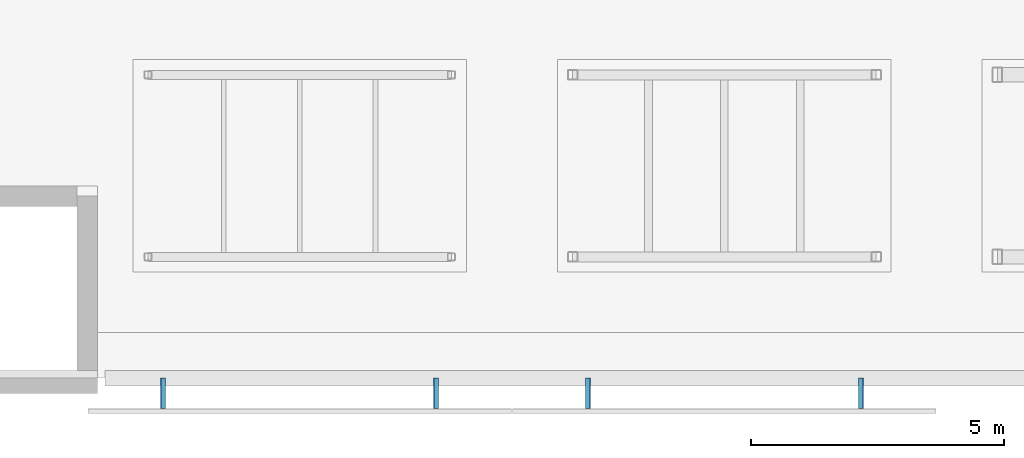
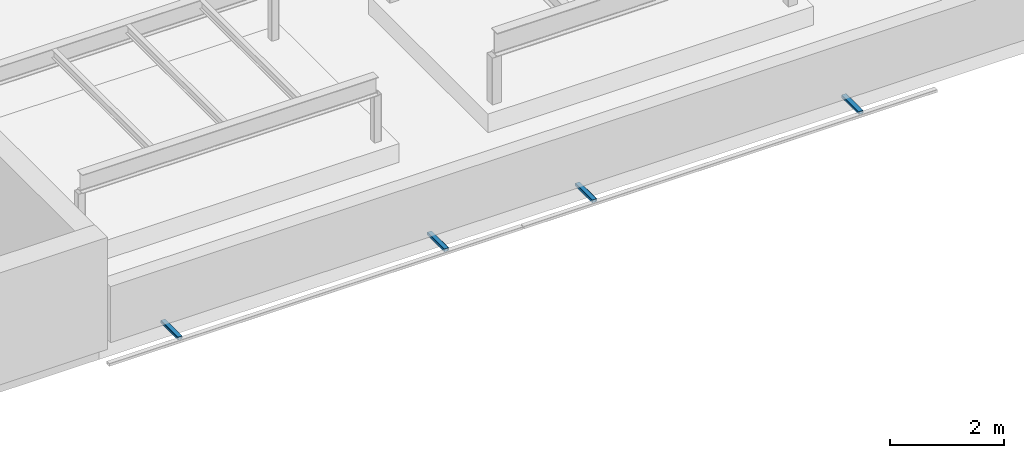
# One storey, part 16 of 18: 4 discrete accessories.
"""IFC4 building model written with IfcOpenShell, lengths in metres."""

from ifc_helpers import new_model, si_unit, direction, frame, origin, origin_2d, place, context, subcontext, project, spatial, hollow_rectangle, extrude, material, material_profile, profile_set, type_object, element, save


model = new_model("IFC4")

# Units and contexts
model_context = context("Model", 3, precision=1e-05, world=origin(), true_north=direction((0.0, 1.0)))
body_context = subcontext(model_context, "Body", "Model", "MODEL_VIEW")
ifc_project = project(units=[si_unit("LENGTHUNIT", "METRE"), si_unit("AREAUNIT", "SQUARE_METRE"), si_unit("VOLUMEUNIT", "CUBIC_METRE"), si_unit("PLANEANGLEUNIT", "RADIAN"), si_unit("MASSUNIT", "GRAM", prefix="KILO")], contexts=[model_context])

# Site, building, storey
site_placement = place(None, origin())
site = spatial("IfcSite", under=ifc_project, at=site_placement, CompositionType="ELEMENT")
building_placement = place(site_placement, origin())
building = spatial("IfcBuilding", under=site, at=building_placement, Name="Yavir Park General Hospital", CompositionType="ELEMENT")
storey_placement = place(building_placement, frame((0.0, 0.0, 29.699951171875)))
storey = spatial("IfcBuildingStorey", under=building, at=storey_placement, Name="RF", CompositionType="ELEMENT", Elevation=29.699951171875)

# Discrete accessories
ifc_material = material(Name="Steel S355", Category="steel")
ifc_material_profile = material_profile(ifc_material, hollow_rectangle(XDim=0.10009765625, YDim=0.06005859375, WallThickness=0.006103515625, InnerFilletRadius=0.006103515625, OuterFilletRadius=0.011962890625, at=origin_2d()), Name="RHS60x100x6")
ifc_profile_set = profile_set([ifc_material_profile], Name="Steel S355")
discrete_accessory_type = type_object("IfcDiscreteAccessoryType", Name="Screen bracket RHS 60 x 100", PredefinedType="BRACKET", material=ifc_profile_set)
for number, where, z_axis, x_axis, name in (
    (1, (144.300048828125, 0.0, -0.030029296875), (0.0, -1.0, 0.0), (1.0, 0.0, 0.0), "Screen bracket S18.5.1"),
    (2, (149.699951171875, 0.0, -0.030029296875), (0.0, -1.0, 0.0), (1.0, 0.0, 0.0), "Screen bracket S18.5.2"),
    (3, (152.699951171875, 0.0, -0.030029296875), (0.0, -1.0, 0.0), (1.0, 0.0, 0.0), "Screen bracket S19.5.1"),
    (4, (158.10009765625, 0.0, -0.030029296875), (0.0, -1.0, 0.0), (1.0, 0.0, 0.0), "Screen bracket S19.5.2"),
):
    element("IfcDiscreteAccessory", number, at=place(storey_placement, frame(where, z_axis=z_axis, x_axis=x_axis)), inside=storey, type_object=discrete_accessory_type, Name=name, PredefinedType="BRACKET", context=body_context, shape_type="SweptSolid", body=[
        extrude(hollow_rectangle(XDim=0.10009765625, YDim=0.06005859375, WallThickness=0.006103515625, InnerFilletRadius=0.006103515625, OuterFilletRadius=0.011962890625, at=origin_2d()), origin(), (0.0, 0.0, 1.0), 0.60009765625),
    ])

save(model, "model.ifc")
